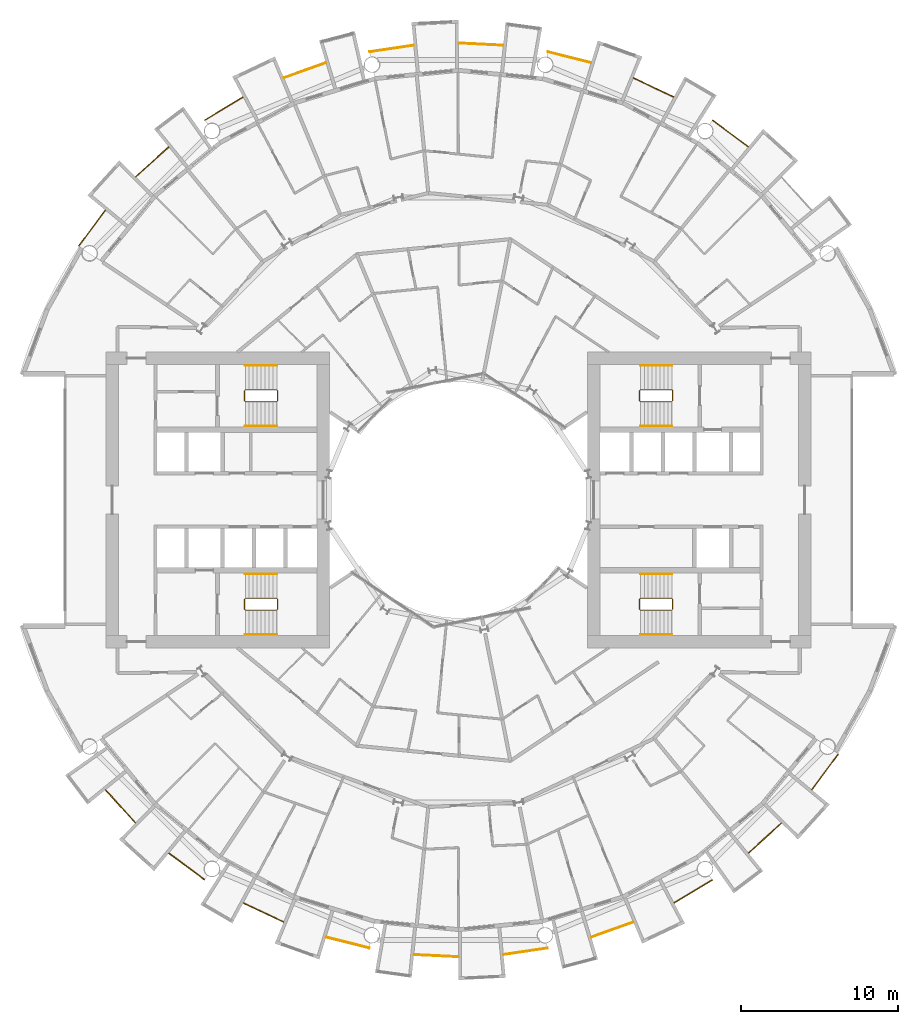
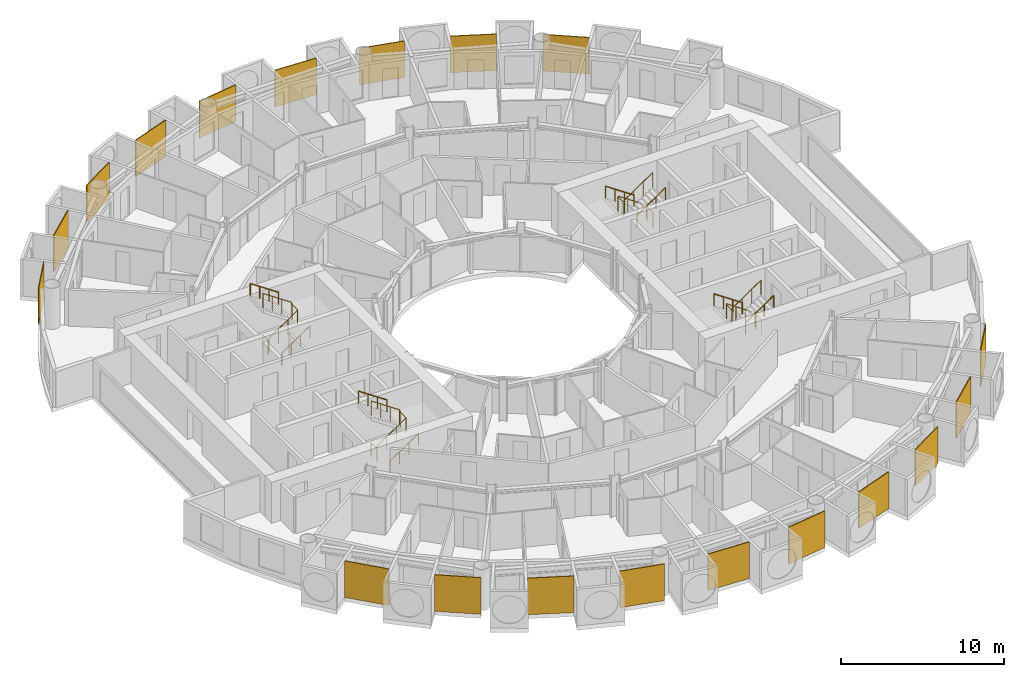
# One storey, part 25 of 26: 31 railings.
"""IFC4 building model written with IfcOpenShell, lengths in metres."""

from ifc_helpers import new_model, si_unit, direction, frame, origin, origin_2d, place, context, subcontext, project, spatial, polyline, circle, outline, extrude, material, layer, layer_set, type_object, element, save


model = new_model("IFC4")

# Units and contexts
model_context = context("Model", 3, precision=1e-05, world=origin(), true_north=direction((0.0, 1.0)))
body_context = subcontext(model_context, "Body", "Model", "MODEL_VIEW")
ifc_project = project(units=[si_unit("LENGTHUNIT", "METRE"), si_unit("AREAUNIT", "SQUARE_METRE"), si_unit("VOLUMEUNIT", "CUBIC_METRE"), si_unit("PLANEANGLEUNIT", "RADIAN"), si_unit("MASSUNIT", "GRAM", prefix="KILO")], contexts=[model_context])

# Site, building, storey
site_placement = place(None, origin())
site = spatial("IfcSite", under=ifc_project, at=site_placement, CompositionType="ELEMENT")
building_placement = place(site_placement, origin())
building = spatial("IfcBuilding", under=site, at=building_placement, Name="Maasbend Ring Residences", CompositionType="ELEMENT")
storey_placement = place(building_placement, frame((0.0, 0.0, 22.800048828125)))
storey = spatial("IfcBuildingStorey", under=building, at=storey_placement, Name="L05", CompositionType="ELEMENT", Elevation=22.800048828125)

# Railings
ifc_material_1 = material(Name="Pale anodised perforated aluminium", Category="aluminium")
ifc_layer = layer(ifc_material_1, 0.06005859375)
ifc_layer_set = layer_set([ifc_layer], Name="SCREEN-P")
railing_type_1 = type_object("IfcRailingType", Name="SCREEN-P", PredefinedType="GUARDRAIL", material=ifc_layer_set)
railing_1_placement = place(storey_placement, frame((0.0, 0.0, -0.030029296875)))
element("IfcRailing", 1, at=railing_1_placement, inside=storey, type_object=railing_type_1, Name="Perforated screen guard 2", PredefinedType="GUARDRAIL", context=body_context, shape_type="SweptSolid", body=[
    extrude(outline(polyline([(18.39697265625, 22.4169921875), (16.112060546875, 24.113037109375), (16.14697265625, 24.160888671875), (18.43310546875, 22.465087890625), (18.39697265625, 22.4169921875)])), origin(), (0.0, 0.0, 1.0), 2.72998046875),
])
railing_2_placement = place(storey_placement, frame((0.0, 0.0, -0.030029296875)))
element("IfcRailing", 2, at=railing_2_placement, inside=storey, type_object=railing_type_1, Name="Perforated screen guard 3", PredefinedType="GUARDRAIL", context=body_context, shape_type="SweptSolid", body=[
    extrude(outline(polyline([(13.6708984375, 25.575927734375), (11.097900390625, 26.79296875), (11.123046875, 26.846923828125), (13.696044921875, 25.6298828125), (13.6708984375, 25.575927734375)])), origin(), (0.0, 0.0, 1.0), 2.72998046875),
])
railing_3_placement = place(storey_placement, frame((0.0, 0.0, -0.030029296875)))
element("IfcRailing", 3, at=railing_3_placement, inside=storey, type_object=railing_type_1, Name="Perforated screen guard 4", PredefinedType="GUARDRAIL", context=body_context, shape_type="SweptSolid", body=[
    extrude(outline(polyline([(8.41796875, 27.7509765625), (5.657958984375, 28.443115234375), (5.672119140625, 28.5009765625), (8.43310546875, 27.80908203125), (8.41796875, 27.7509765625)])), origin(), (0.0, 0.0, 1.0), 2.72998046875),
])
railing_4_placement = place(storey_placement, frame((0.0, 0.0, -0.030029296875)))
element("IfcRailing", 4, at=railing_4_placement, inside=storey, type_object=railing_type_1, Name="Perforated screen guard 5", PredefinedType="GUARDRAIL", context=body_context, shape_type="SweptSolid", body=[
    extrude(outline(polyline([(2.842041015625, 28.860107421875), (0.0, 29.0), (0.0029296875, 29.06005859375), (2.844970703125, 28.919921875), (2.842041015625, 28.860107421875)])), origin(), (0.0, 0.0, 1.0), 2.72998046875),
])
railing_5_placement = place(storey_placement, frame((0.0, 0.0, -0.030029296875)))
element("IfcRailing", 5, at=railing_5_placement, inside=storey, type_object=railing_type_1, Name="Perforated screen guard 6", PredefinedType="GUARDRAIL", context=body_context, shape_type="SweptSolid", body=[
    extrude(outline(polyline([(-2.842041015625, 28.860107421875), (-5.657958984375, 28.443115234375), (-5.666015625, 28.501953125), (-2.85107421875, 28.919921875), (-2.842041015625, 28.860107421875)])), origin(), (0.0, 0.0, 1.0), 2.72998046875),
])
railing_6_placement = place(storey_placement, frame((0.0, 0.0, -0.030029296875)))
element("IfcRailing", 6, at=railing_6_placement, inside=storey, type_object=railing_type_1, Name="Perforated screen guard 7", PredefinedType="GUARDRAIL", context=body_context, shape_type="SweptSolid", body=[
    extrude(outline(polyline([(-8.41796875, 27.7509765625), (-11.097900390625, 26.79296875), (-11.117919921875, 26.84912109375), (-8.43798828125, 27.80810546875), (-8.41796875, 27.7509765625)])), origin(), (0.0, 0.0, 1.0), 2.72998046875),
])
railing_7_placement = place(storey_placement, frame((0.0, 0.0, -0.030029296875)))
element("IfcRailing", 7, at=railing_7_placement, inside=storey, type_object=railing_type_1, Name="Perforated screen guard 8", PredefinedType="GUARDRAIL", context=body_context, shape_type="SweptSolid", body=[
    extrude(outline(polyline([(-13.6708984375, 25.575927734375), (-16.112060546875, 24.113037109375), (-16.14208984375, 24.1640625), (-13.700927734375, 25.626953125), (-13.6708984375, 25.575927734375)])), origin(), (0.0, 0.0, 1.0), 2.72998046875),
])
railing_8_placement = place(storey_placement, frame((0.0, 0.0, -0.030029296875)))
element("IfcRailing", 8, at=railing_8_placement, inside=storey, type_object=railing_type_1, Name="Perforated screen guard 9", PredefinedType="GUARDRAIL", context=body_context, shape_type="SweptSolid", body=[
    extrude(outline(polyline([(-18.39697265625, 22.4169921875), (-20.506103515625, 20.506103515625), (-20.5458984375, 20.551025390625), (-18.43798828125, 22.4619140625), (-18.39697265625, 22.4169921875)])), origin(), (0.0, 0.0, 1.0), 2.72998046875),
])
railing_9_placement = place(storey_placement, frame((0.0, 0.0, -0.030029296875)))
element("IfcRailing", 9, at=railing_9_placement, inside=storey, type_object=railing_type_1, Name="Perforated screen guard 10", PredefinedType="GUARDRAIL", context=body_context, shape_type="SweptSolid", body=[
    extrude(outline(polyline([(-22.4169921875, 18.39697265625), (-24.113037109375, 16.112060546875), (-24.160888671875, 16.14697265625), (-22.465087890625, 18.43310546875), (-22.4169921875, 18.39697265625)])), origin(), (0.0, 0.0, 1.0), 2.72998046875),
])
railing_10_placement = place(storey_placement, frame((0.0, 0.0, -0.030029296875)))
element("IfcRailing", 10, at=railing_10_placement, inside=storey, type_object=railing_type_1, Name="Perforated screen guard 1", PredefinedType="GUARDRAIL", context=body_context, shape_type="SweptSolid", body=[
    extrude(outline(polyline([(-22.4169921875, -18.39697265625), (-20.506103515625, -20.506103515625), (-20.551025390625, -20.5458984375), (-22.4619140625, -18.43798828125), (-22.4169921875, -18.39697265625)])), origin(), (0.0, 0.0, 1.0), 2.72998046875),
])
railing_11_placement = place(storey_placement, frame((0.0, 0.0, -0.030029296875)))
element("IfcRailing", 11, at=railing_11_placement, inside=storey, type_object=railing_type_1, Name="Perforated screen guard 2", PredefinedType="GUARDRAIL", context=body_context, shape_type="SweptSolid", body=[
    extrude(outline(polyline([(-18.39697265625, -22.4169921875), (-16.112060546875, -24.113037109375), (-16.14697265625, -24.160888671875), (-18.43310546875, -22.465087890625), (-18.39697265625, -22.4169921875)])), origin(), (0.0, 0.0, 1.0), 2.72998046875),
])
railing_12_placement = place(storey_placement, frame((0.0, 0.0, -0.030029296875)))
element("IfcRailing", 12, at=railing_12_placement, inside=storey, type_object=railing_type_1, Name="Perforated screen guard 3", PredefinedType="GUARDRAIL", context=body_context, shape_type="SweptSolid", body=[
    extrude(outline(polyline([(-13.6708984375, -25.575927734375), (-11.097900390625, -26.79296875), (-11.123046875, -26.846923828125), (-13.696044921875, -25.6298828125), (-13.6708984375, -25.575927734375)])), origin(), (0.0, 0.0, 1.0), 2.72998046875),
])
railing_13_placement = place(storey_placement, frame((0.0, 0.0, -0.030029296875)))
element("IfcRailing", 13, at=railing_13_placement, inside=storey, type_object=railing_type_1, Name="Perforated screen guard 4", PredefinedType="GUARDRAIL", context=body_context, shape_type="SweptSolid", body=[
    extrude(outline(polyline([(-8.41796875, -27.7509765625), (-5.657958984375, -28.443115234375), (-5.672119140625, -28.5009765625), (-8.43310546875, -27.80908203125), (-8.41796875, -27.7509765625)])), origin(), (0.0, 0.0, 1.0), 2.72998046875),
])
railing_14_placement = place(storey_placement, frame((0.0, 0.0, -0.030029296875)))
element("IfcRailing", 14, at=railing_14_placement, inside=storey, type_object=railing_type_1, Name="Perforated screen guard 5", PredefinedType="GUARDRAIL", context=body_context, shape_type="SweptSolid", body=[
    extrude(outline(polyline([(-2.842041015625, -28.860107421875), (0.0, -29.0), (-0.0029296875, -29.06005859375), (-2.844970703125, -28.919921875), (-2.842041015625, -28.860107421875)])), origin(), (0.0, 0.0, 1.0), 2.72998046875),
])
railing_15_placement = place(storey_placement, frame((0.0, 0.0, -0.030029296875)))
element("IfcRailing", 15, at=railing_15_placement, inside=storey, type_object=railing_type_1, Name="Perforated screen guard 6", PredefinedType="GUARDRAIL", context=body_context, shape_type="SweptSolid", body=[
    extrude(outline(polyline([(2.842041015625, -28.860107421875), (5.657958984375, -28.443115234375), (5.666015625, -28.501953125), (2.85107421875, -28.919921875), (2.842041015625, -28.860107421875)])), origin(), (0.0, 0.0, 1.0), 2.72998046875),
])
railing_16_placement = place(storey_placement, frame((0.0, 0.0, -0.030029296875)))
element("IfcRailing", 16, at=railing_16_placement, inside=storey, type_object=railing_type_1, Name="Perforated screen guard 7", PredefinedType="GUARDRAIL", context=body_context, shape_type="SweptSolid", body=[
    extrude(outline(polyline([(8.41796875, -27.7509765625), (11.097900390625, -26.79296875), (11.117919921875, -26.84912109375), (8.43798828125, -27.80810546875), (8.41796875, -27.7509765625)])), origin(), (0.0, 0.0, 1.0), 2.72998046875),
])
railing_17_placement = place(storey_placement, frame((0.0, 0.0, -0.030029296875)))
element("IfcRailing", 17, at=railing_17_placement, inside=storey, type_object=railing_type_1, Name="Perforated screen guard 8", PredefinedType="GUARDRAIL", context=body_context, shape_type="SweptSolid", body=[
    extrude(outline(polyline([(13.6708984375, -25.575927734375), (16.112060546875, -24.113037109375), (16.14208984375, -24.1640625), (13.700927734375, -25.626953125), (13.6708984375, -25.575927734375)])), origin(), (0.0, 0.0, 1.0), 2.72998046875),
])
railing_18_placement = place(storey_placement, frame((0.0, 0.0, -0.030029296875)))
element("IfcRailing", 18, at=railing_18_placement, inside=storey, type_object=railing_type_1, Name="Perforated screen guard 9", PredefinedType="GUARDRAIL", context=body_context, shape_type="SweptSolid", body=[
    extrude(outline(polyline([(18.39697265625, -22.4169921875), (20.506103515625, -20.506103515625), (20.5458984375, -20.551025390625), (18.43798828125, -22.4619140625), (18.39697265625, -22.4169921875)])), origin(), (0.0, 0.0, 1.0), 2.72998046875),
])
railing_19_placement = place(storey_placement, frame((0.0, 0.0, -0.030029296875)))
element("IfcRailing", 19, at=railing_19_placement, inside=storey, type_object=railing_type_1, Name="Perforated screen guard 10", PredefinedType="GUARDRAIL", context=body_context, shape_type="SweptSolid", body=[
    extrude(outline(polyline([(22.4169921875, -18.39697265625), (24.113037109375, -16.112060546875), (24.160888671875, -16.14697265625), (22.465087890625, -18.43310546875), (22.4169921875, -18.39697265625)])), origin(), (0.0, 0.0, 1.0), 2.72998046875),
])
ifc_material_2 = material(Name="Stainless steel 316", Category="steel")
railing_type_2 = type_object("IfcRailingType", Name="STAIR GUARD 1100", PredefinedType="GUARDRAIL", material=ifc_material_2)
railing_20_placement = place(storey_placement, frame((13.60009765625, 6.300048828125, 0.0)))
element("IfcRailing", 20, at=railing_20_placement, inside=storey, type_object=railing_type_2, Name="L05 ST-E1 stair guard 1", PredefinedType="GUARDRAIL", context=body_context, shape_type="SweptSolid", body=[
    extrude(circle(Radius=0.02392578125, at=origin_2d()), frame((0.0, 0.0, 1.076171875), z_axis=(0.0, 1.0, 0.0), x_axis=(-1.0, 0.0, 0.0)), (0.0, 0.0, 1.0), 0.64990234375),
    extrude(circle(Radius=0.02392578125, at=origin_2d()), frame((0.0, 0.64990234375, 1.076171875), z_axis=(-0.272562526181, 0.272562526181, 0.92272386912), x_axis=(-0.707106781187, -0.707106781187, 0.0)), (0.0, 0.0, 1.0), 0.18359375),
    extrude(circle(Radius=0.02392578125, at=origin_2d()), frame((-0.050048828125, 0.699951171875, 1.24560546875), z_axis=(-0.827797584762, 0.0, 0.561026878735), x_axis=(0.0, -1.0, 0.0)), (0.0, 0.0, 1.0), 2.416015625),
    extrude(circle(Radius=0.02392578125, at=origin_2d()), frame((-2.050048828125, 0.699951171875, 2.60107421875), z_axis=(-0.707106781187, -0.707106781187, 0.0), x_axis=(0.707106781187, -0.707106781187, 0.0)), (0.0, 0.0, 1.0), 0.07080078125),
    extrude(circle(Radius=0.02392578125, at=origin_2d()), frame((-2.10009765625, 0.64990234375, 2.60107421875), z_axis=(0.0, -1.0, 0.0), x_axis=(1.0, 0.0, 0.0)), (0.0, 0.0, 1.0), 0.64990234375),
    extrude(circle(Radius=0.02392578125, at=origin_2d()), frame((-2.10009765625, 0.0, 2.60107421875), z_axis=(0.272562526181, -0.272562526181, 0.92272386912), x_axis=(0.707106781187, 0.707106781187, 0.0)), (0.0, 0.0, 1.0), 0.18359375),
    extrude(circle(Radius=0.02392578125, at=origin_2d()), frame((-2.050048828125, -0.050048828125, 2.7705078125), z_axis=(0.827750655447, 0.0, 0.561096116906), x_axis=(0.0, 1.0, 0.0)), (0.0, 0.0, 1.0), 2.416259765625),
    extrude(circle(Radius=0.02099609375, at=origin_2d()), origin(), (0.0, 0.0, 1.0), 1.052001953125),
    extrude(circle(Radius=0.02099609375, at=origin_2d()), frame((0.0, 0.64990234375, 0.0)), (0.0, 0.0, 1.0), 1.052001953125),
    extrude(circle(Radius=0.02099609375, at=origin_2d()), frame((-0.050048828125, 0.699951171875, 0.16943359375)), (0.0, 0.0, 1.0), 1.052001953125),
    extrude(circle(Radius=0.02099609375, at=origin_2d()), frame((-0.716796875, 0.699951171875, 0.621337890625)), (0.0, 0.0, 1.0), 1.052001953125),
    extrude(circle(Radius=0.02099609375, at=origin_2d()), frame((-1.38330078125, 0.699951171875, 1.072998046875)), (0.0, 0.0, 1.0), 1.052001953125),
    extrude(circle(Radius=0.02099609375, at=origin_2d()), frame((-2.050048828125, 0.699951171875, 1.52490234375)), (0.0, 0.0, 1.0), 1.052001953125),
    extrude(circle(Radius=0.02099609375, at=origin_2d()), frame((-2.10009765625, 0.64990234375, 1.52490234375)), (0.0, 0.0, 1.0), 1.052001953125),
    extrude(circle(Radius=0.02099609375, at=origin_2d()), frame((-2.10009765625, 0.0, 1.52490234375)), (0.0, 0.0, 1.0), 1.052001953125),
    extrude(circle(Radius=0.02099609375, at=origin_2d()), frame((-2.050048828125, -0.050048828125, 1.6943359375)), (0.0, 0.0, 1.0), 1.052001953125),
    extrude(circle(Radius=0.02099609375, at=origin_2d()), frame((-1.38330078125, -0.050048828125, 2.146240234375)), (0.0, 0.0, 1.0), 1.052001953125),
    extrude(circle(Radius=0.02099609375, at=origin_2d()), frame((-0.716796875, -0.050048828125, 2.59814453125)), (0.0, 0.0, 1.0), 1.052001953125),
    extrude(circle(Radius=0.02099609375, at=origin_2d()), frame((-0.050048828125, -0.050048828125, 3.050048828125)), (0.0, 0.0, 1.0), 1.052001953125),
])
railing_21_placement = place(storey_placement, frame((13.60009765625, -6.949951171875, 0.0)))
element("IfcRailing", 21, at=railing_21_placement, inside=storey, type_object=railing_type_2, Name="L05 ST-E2 stair guard 1", PredefinedType="GUARDRAIL", context=body_context, shape_type="SweptSolid", body=[
    extrude(circle(Radius=0.02392578125, at=origin_2d()), frame((0.0, 0.0, 1.076171875), z_axis=(0.0, 1.0, 0.0), x_axis=(-1.0, 0.0, 0.0)), (0.0, 0.0, 1.0), 0.64990234375),
    extrude(circle(Radius=0.02392578125, at=origin_2d()), frame((0.0, 0.64990234375, 1.076171875), z_axis=(-0.272562526181, 0.272562526181, 0.92272386912), x_axis=(-0.707106781187, -0.707106781187, 0.0)), (0.0, 0.0, 1.0), 0.18359375),
    extrude(circle(Radius=0.02392578125, at=origin_2d()), frame((-0.050048828125, 0.699951171875, 1.24560546875), z_axis=(-0.827797584762, 0.0, 0.561026878735), x_axis=(0.0, -1.0, 0.0)), (0.0, 0.0, 1.0), 2.416015625),
    extrude(circle(Radius=0.02392578125, at=origin_2d()), frame((-2.050048828125, 0.699951171875, 2.60107421875), z_axis=(-0.707106781187, -0.707106781187, 0.0), x_axis=(0.707106781187, -0.707106781187, 0.0)), (0.0, 0.0, 1.0), 0.07080078125),
    extrude(circle(Radius=0.02392578125, at=origin_2d()), frame((-2.10009765625, 0.64990234375, 2.60107421875), z_axis=(0.0, -1.0, 0.0), x_axis=(1.0, 0.0, 0.0)), (0.0, 0.0, 1.0), 0.64990234375),
    extrude(circle(Radius=0.02392578125, at=origin_2d()), frame((-2.10009765625, 0.0, 2.60107421875), z_axis=(0.272562526181, -0.272562526181, 0.92272386912), x_axis=(0.707106781187, 0.707106781187, 0.0)), (0.0, 0.0, 1.0), 0.18359375),
    extrude(circle(Radius=0.02392578125, at=origin_2d()), frame((-2.050048828125, -0.050048828125, 2.7705078125), z_axis=(0.827750655447, 0.0, 0.561096116906), x_axis=(0.0, 1.0, 0.0)), (0.0, 0.0, 1.0), 2.416259765625),
    extrude(circle(Radius=0.02099609375, at=origin_2d()), origin(), (0.0, 0.0, 1.0), 1.052001953125),
    extrude(circle(Radius=0.02099609375, at=origin_2d()), frame((0.0, 0.64990234375, 0.0)), (0.0, 0.0, 1.0), 1.052001953125),
    extrude(circle(Radius=0.02099609375, at=origin_2d()), frame((-0.050048828125, 0.699951171875, 0.16943359375)), (0.0, 0.0, 1.0), 1.052001953125),
    extrude(circle(Radius=0.02099609375, at=origin_2d()), frame((-0.716796875, 0.699951171875, 0.621337890625)), (0.0, 0.0, 1.0), 1.052001953125),
    extrude(circle(Radius=0.02099609375, at=origin_2d()), frame((-1.38330078125, 0.699951171875, 1.072998046875)), (0.0, 0.0, 1.0), 1.052001953125),
    extrude(circle(Radius=0.02099609375, at=origin_2d()), frame((-2.050048828125, 0.699951171875, 1.52490234375)), (0.0, 0.0, 1.0), 1.052001953125),
    extrude(circle(Radius=0.02099609375, at=origin_2d()), frame((-2.10009765625, 0.64990234375, 1.52490234375)), (0.0, 0.0, 1.0), 1.052001953125),
    extrude(circle(Radius=0.02099609375, at=origin_2d()), frame((-2.10009765625, 0.0, 1.52490234375)), (0.0, 0.0, 1.0), 1.052001953125),
    extrude(circle(Radius=0.02099609375, at=origin_2d()), frame((-2.050048828125, -0.050048828125, 1.6943359375)), (0.0, 0.0, 1.0), 1.052001953125),
    extrude(circle(Radius=0.02099609375, at=origin_2d()), frame((-1.38330078125, -0.050048828125, 2.146240234375)), (0.0, 0.0, 1.0), 1.052001953125),
    extrude(circle(Radius=0.02099609375, at=origin_2d()), frame((-0.716796875, -0.050048828125, 2.59814453125)), (0.0, 0.0, 1.0), 1.052001953125),
    extrude(circle(Radius=0.02099609375, at=origin_2d()), frame((-0.050048828125, -0.050048828125, 3.050048828125)), (0.0, 0.0, 1.0), 1.052001953125),
])
railing_22_placement = place(storey_placement, frame((-13.60009765625, -6.300048828125, 0.0)))
element("IfcRailing", 22, at=railing_22_placement, inside=storey, type_object=railing_type_2, Name="L05 ST-W1 stair guard 1", PredefinedType="GUARDRAIL", context=body_context, shape_type="SweptSolid", body=[
    extrude(circle(Radius=0.02392578125, at=origin_2d()), frame((0.0, 0.0, 1.076171875), z_axis=(0.0, -1.0, 0.0), x_axis=(1.0, 0.0, 0.0)), (0.0, 0.0, 1.0), 0.64990234375),
    extrude(circle(Radius=0.02392578125, at=origin_2d()), frame((0.0, -0.64990234375, 1.076171875), z_axis=(0.272562526181, -0.272562526181, 0.92272386912), x_axis=(0.707106781187, 0.707106781187, 0.0)), (0.0, 0.0, 1.0), 0.18359375),
    extrude(circle(Radius=0.02392578125, at=origin_2d()), frame((0.050048828125, -0.699951171875, 1.24560546875), z_axis=(0.827797584762, 0.0, 0.561026878735), x_axis=(0.0, 1.0, 0.0)), (0.0, 0.0, 1.0), 2.416015625),
    extrude(circle(Radius=0.02392578125, at=origin_2d()), frame((2.050048828125, -0.699951171875, 2.60107421875), z_axis=(0.707106781187, 0.707106781187, 0.0), x_axis=(-0.707106781187, 0.707106781187, 0.0)), (0.0, 0.0, 1.0), 0.07080078125),
    extrude(circle(Radius=0.02392578125, at=origin_2d()), frame((2.10009765625, -0.64990234375, 2.60107421875), z_axis=(0.0, 1.0, 0.0), x_axis=(-1.0, 0.0, 0.0)), (0.0, 0.0, 1.0), 0.64990234375),
    extrude(circle(Radius=0.02392578125, at=origin_2d()), frame((2.10009765625, 0.0, 2.60107421875), z_axis=(-0.272562526181, 0.272562526181, 0.92272386912), x_axis=(-0.707106781187, -0.707106781187, 0.0)), (0.0, 0.0, 1.0), 0.18359375),
    extrude(circle(Radius=0.02392578125, at=origin_2d()), frame((2.050048828125, 0.050048828125, 2.7705078125), z_axis=(-0.827750655447, 0.0, 0.561096116906), x_axis=(0.0, -1.0, 0.0)), (0.0, 0.0, 1.0), 2.416259765625),
    extrude(circle(Radius=0.02099609375, at=origin_2d()), origin(), (0.0, 0.0, 1.0), 1.052001953125),
    extrude(circle(Radius=0.02099609375, at=origin_2d()), frame((0.0, -0.64990234375, 0.0)), (0.0, 0.0, 1.0), 1.052001953125),
    extrude(circle(Radius=0.02099609375, at=origin_2d()), frame((0.050048828125, -0.699951171875, 0.16943359375)), (0.0, 0.0, 1.0), 1.052001953125),
    extrude(circle(Radius=0.02099609375, at=origin_2d()), frame((0.716796875, -0.699951171875, 0.621337890625)), (0.0, 0.0, 1.0), 1.052001953125),
    extrude(circle(Radius=0.02099609375, at=origin_2d()), frame((1.38330078125, -0.699951171875, 1.072998046875)), (0.0, 0.0, 1.0), 1.052001953125),
    extrude(circle(Radius=0.02099609375, at=origin_2d()), frame((2.050048828125, -0.699951171875, 1.52490234375)), (0.0, 0.0, 1.0), 1.052001953125),
    extrude(circle(Radius=0.02099609375, at=origin_2d()), frame((2.10009765625, -0.64990234375, 1.52490234375)), (0.0, 0.0, 1.0), 1.052001953125),
    extrude(circle(Radius=0.02099609375, at=origin_2d()), frame((2.10009765625, 0.0, 1.52490234375)), (0.0, 0.0, 1.0), 1.052001953125),
    extrude(circle(Radius=0.02099609375, at=origin_2d()), frame((2.050048828125, 0.050048828125, 1.6943359375)), (0.0, 0.0, 1.0), 1.052001953125),
    extrude(circle(Radius=0.02099609375, at=origin_2d()), frame((1.38330078125, 0.050048828125, 2.146240234375)), (0.0, 0.0, 1.0), 1.052001953125),
    extrude(circle(Radius=0.02099609375, at=origin_2d()), frame((0.716796875, 0.050048828125, 2.59814453125)), (0.0, 0.0, 1.0), 1.052001953125),
    extrude(circle(Radius=0.02099609375, at=origin_2d()), frame((0.050048828125, 0.050048828125, 3.050048828125)), (0.0, 0.0, 1.0), 1.052001953125),
])
railing_23_placement = place(storey_placement, frame((-13.60009765625, 6.949951171875, 0.0)))
element("IfcRailing", 23, at=railing_23_placement, inside=storey, type_object=railing_type_2, Name="L05 ST-W2 stair guard 1", PredefinedType="GUARDRAIL", context=body_context, shape_type="SweptSolid", body=[
    extrude(circle(Radius=0.02392578125, at=origin_2d()), frame((0.0, 0.0, 1.076171875), z_axis=(0.0, -1.0, 0.0), x_axis=(1.0, 0.0, 0.0)), (0.0, 0.0, 1.0), 0.64990234375),
    extrude(circle(Radius=0.02392578125, at=origin_2d()), frame((0.0, -0.64990234375, 1.076171875), z_axis=(0.272562526181, -0.272562526181, 0.92272386912), x_axis=(0.707106781187, 0.707106781187, 0.0)), (0.0, 0.0, 1.0), 0.18359375),
    extrude(circle(Radius=0.02392578125, at=origin_2d()), frame((0.050048828125, -0.699951171875, 1.24560546875), z_axis=(0.827797584762, 0.0, 0.561026878735), x_axis=(0.0, 1.0, 0.0)), (0.0, 0.0, 1.0), 2.416015625),
    extrude(circle(Radius=0.02392578125, at=origin_2d()), frame((2.050048828125, -0.699951171875, 2.60107421875), z_axis=(0.707106781187, 0.707106781187, 0.0), x_axis=(-0.707106781187, 0.707106781187, 0.0)), (0.0, 0.0, 1.0), 0.07080078125),
    extrude(circle(Radius=0.02392578125, at=origin_2d()), frame((2.10009765625, -0.64990234375, 2.60107421875), z_axis=(0.0, 1.0, 0.0), x_axis=(-1.0, 0.0, 0.0)), (0.0, 0.0, 1.0), 0.64990234375),
    extrude(circle(Radius=0.02392578125, at=origin_2d()), frame((2.10009765625, 0.0, 2.60107421875), z_axis=(-0.272562526181, 0.272562526181, 0.92272386912), x_axis=(-0.707106781187, -0.707106781187, 0.0)), (0.0, 0.0, 1.0), 0.18359375),
    extrude(circle(Radius=0.02392578125, at=origin_2d()), frame((2.050048828125, 0.050048828125, 2.7705078125), z_axis=(-0.827750655447, 0.0, 0.561096116906), x_axis=(0.0, -1.0, 0.0)), (0.0, 0.0, 1.0), 2.416259765625),
    extrude(circle(Radius=0.02099609375, at=origin_2d()), origin(), (0.0, 0.0, 1.0), 1.052001953125),
    extrude(circle(Radius=0.02099609375, at=origin_2d()), frame((0.0, -0.64990234375, 0.0)), (0.0, 0.0, 1.0), 1.052001953125),
    extrude(circle(Radius=0.02099609375, at=origin_2d()), frame((0.050048828125, -0.699951171875, 0.16943359375)), (0.0, 0.0, 1.0), 1.052001953125),
    extrude(circle(Radius=0.02099609375, at=origin_2d()), frame((0.716796875, -0.699951171875, 0.621337890625)), (0.0, 0.0, 1.0), 1.052001953125),
    extrude(circle(Radius=0.02099609375, at=origin_2d()), frame((1.38330078125, -0.699951171875, 1.072998046875)), (0.0, 0.0, 1.0), 1.052001953125),
    extrude(circle(Radius=0.02099609375, at=origin_2d()), frame((2.050048828125, -0.699951171875, 1.52490234375)), (0.0, 0.0, 1.0), 1.052001953125),
    extrude(circle(Radius=0.02099609375, at=origin_2d()), frame((2.10009765625, -0.64990234375, 1.52490234375)), (0.0, 0.0, 1.0), 1.052001953125),
    extrude(circle(Radius=0.02099609375, at=origin_2d()), frame((2.10009765625, 0.0, 1.52490234375)), (0.0, 0.0, 1.0), 1.052001953125),
    extrude(circle(Radius=0.02099609375, at=origin_2d()), frame((2.050048828125, 0.050048828125, 1.6943359375)), (0.0, 0.0, 1.0), 1.052001953125),
    extrude(circle(Radius=0.02099609375, at=origin_2d()), frame((1.38330078125, 0.050048828125, 2.146240234375)), (0.0, 0.0, 1.0), 1.052001953125),
    extrude(circle(Radius=0.02099609375, at=origin_2d()), frame((0.716796875, 0.050048828125, 2.59814453125)), (0.0, 0.0, 1.0), 1.052001953125),
    extrude(circle(Radius=0.02099609375, at=origin_2d()), frame((0.050048828125, 0.050048828125, 3.050048828125)), (0.0, 0.0, 1.0), 1.052001953125),
])
ifc_material_3 = material(Name="Stainless steel 316", Category="steel")
railing_type_3 = type_object("IfcRailingType", Name="STAIR HANDRAIL 900", PredefinedType="HANDRAIL", material=ifc_material_3)
railing_24_placement = place(storey_placement, frame((13.550048828125, 8.550048828125, 0.16943359375)))
element("IfcRailing", 24, at=railing_24_placement, inside=storey, type_object=railing_type_3, Name="L05 ST-E1 stair handrail 1", PredefinedType="HANDRAIL", context=body_context, shape_type="SweptSolid", body=[
    extrude(circle(Radius=0.02392578125, at=origin_2d()), frame((0.0, 0.0, 0.8759765625), z_axis=(-0.827797584762, 0.0, 0.561026878735), x_axis=(0.0, -1.0, 0.0)), (0.0, 0.0, 1.0), 2.416015625),
    extrude(circle(Radius=0.02099609375, at=origin_2d()), origin(), (0.0, 0.0, 1.0), 0.851806640625),
    extrude(circle(Radius=0.02099609375, at=origin_2d()), frame((-0.666748046875, 0.0, 0.451904296875)), (0.0, 0.0, 1.0), 0.851806640625),
    extrude(circle(Radius=0.02099609375, at=origin_2d()), frame((-1.333251953125, 0.0, 0.903564453125)), (0.0, 0.0, 1.0), 0.851806640625),
    extrude(circle(Radius=0.02099609375, at=origin_2d()), frame((-2.0, 0.0, 1.35546875)), (0.0, 0.0, 1.0), 0.851806640625),
])
railing_25_placement = place(storey_placement, frame((11.550048828125, 4.699951171875, 1.6943359375)))
element("IfcRailing", 25, at=railing_25_placement, inside=storey, type_object=railing_type_3, Name="L05 ST-E1 stair handrail 2", PredefinedType="HANDRAIL", context=body_context, shape_type="SweptSolid", body=[
    extrude(circle(Radius=0.02392578125, at=origin_2d()), frame((0.0, 0.0, 0.8759765625), z_axis=(0.827750655447, 0.0, 0.561096116906), x_axis=(0.0, 1.0, 0.0)), (0.0, 0.0, 1.0), 2.416259765625),
    extrude(circle(Radius=0.02099609375, at=origin_2d()), origin(), (0.0, 0.0, 1.0), 0.851806640625),
    extrude(circle(Radius=0.02099609375, at=origin_2d()), frame((0.666748046875, 0.0, 0.451904296875)), (0.0, 0.0, 1.0), 0.851806640625),
    extrude(circle(Radius=0.02099609375, at=origin_2d()), frame((1.333251953125, 0.0, 0.90380859375)), (0.0, 0.0, 1.0), 0.851806640625),
    extrude(circle(Radius=0.02099609375, at=origin_2d()), frame((2.0, 0.0, 1.355712890625)), (0.0, 0.0, 1.0), 0.851806640625),
])
railing_26_placement = place(storey_placement, frame((13.550048828125, -4.699951171875, 0.16943359375)))
element("IfcRailing", 26, at=railing_26_placement, inside=storey, type_object=railing_type_3, Name="L05 ST-E2 stair handrail 1", PredefinedType="HANDRAIL", context=body_context, shape_type="SweptSolid", body=[
    extrude(circle(Radius=0.02392578125, at=origin_2d()), frame((0.0, 0.0, 0.8759765625), z_axis=(-0.827797584762, 0.0, 0.561026878735), x_axis=(0.0, -1.0, 0.0)), (0.0, 0.0, 1.0), 2.416015625),
    extrude(circle(Radius=0.02099609375, at=origin_2d()), origin(), (0.0, 0.0, 1.0), 0.851806640625),
    extrude(circle(Radius=0.02099609375, at=origin_2d()), frame((-0.666748046875, 0.0, 0.451904296875)), (0.0, 0.0, 1.0), 0.851806640625),
    extrude(circle(Radius=0.02099609375, at=origin_2d()), frame((-1.333251953125, 0.0, 0.903564453125)), (0.0, 0.0, 1.0), 0.851806640625),
    extrude(circle(Radius=0.02099609375, at=origin_2d()), frame((-2.0, 0.0, 1.35546875)), (0.0, 0.0, 1.0), 0.851806640625),
])
railing_27_placement = place(storey_placement, frame((11.550048828125, -8.550048828125, 1.6943359375)))
element("IfcRailing", 27, at=railing_27_placement, inside=storey, type_object=railing_type_3, Name="L05 ST-E2 stair handrail 2", PredefinedType="HANDRAIL", context=body_context, shape_type="SweptSolid", body=[
    extrude(circle(Radius=0.02392578125, at=origin_2d()), frame((0.0, 0.0, 0.8759765625), z_axis=(0.827750655447, 0.0, 0.561096116906), x_axis=(0.0, 1.0, 0.0)), (0.0, 0.0, 1.0), 2.416259765625),
    extrude(circle(Radius=0.02099609375, at=origin_2d()), origin(), (0.0, 0.0, 1.0), 0.851806640625),
    extrude(circle(Radius=0.02099609375, at=origin_2d()), frame((0.666748046875, 0.0, 0.451904296875)), (0.0, 0.0, 1.0), 0.851806640625),
    extrude(circle(Radius=0.02099609375, at=origin_2d()), frame((1.333251953125, 0.0, 0.90380859375)), (0.0, 0.0, 1.0), 0.851806640625),
    extrude(circle(Radius=0.02099609375, at=origin_2d()), frame((2.0, 0.0, 1.355712890625)), (0.0, 0.0, 1.0), 0.851806640625),
])
railing_28_placement = place(storey_placement, frame((-13.550048828125, -8.550048828125, 0.16943359375)))
element("IfcRailing", 28, at=railing_28_placement, inside=storey, type_object=railing_type_3, Name="L05 ST-W1 stair handrail 1", PredefinedType="HANDRAIL", context=body_context, shape_type="SweptSolid", body=[
    extrude(circle(Radius=0.02392578125, at=origin_2d()), frame((0.0, 0.0, 0.8759765625), z_axis=(0.827797584762, 0.0, 0.561026878735), x_axis=(0.0, 1.0, 0.0)), (0.0, 0.0, 1.0), 2.416015625),
    extrude(circle(Radius=0.02099609375, at=origin_2d()), origin(), (0.0, 0.0, 1.0), 0.851806640625),
    extrude(circle(Radius=0.02099609375, at=origin_2d()), frame((0.666748046875, 0.0, 0.451904296875)), (0.0, 0.0, 1.0), 0.851806640625),
    extrude(circle(Radius=0.02099609375, at=origin_2d()), frame((1.333251953125, 0.0, 0.903564453125)), (0.0, 0.0, 1.0), 0.851806640625),
    extrude(circle(Radius=0.02099609375, at=origin_2d()), frame((2.0, 0.0, 1.35546875)), (0.0, 0.0, 1.0), 0.851806640625),
])
railing_29_placement = place(storey_placement, frame((-11.550048828125, -4.699951171875, 1.6943359375)))
element("IfcRailing", 29, at=railing_29_placement, inside=storey, type_object=railing_type_3, Name="L05 ST-W1 stair handrail 2", PredefinedType="HANDRAIL", context=body_context, shape_type="SweptSolid", body=[
    extrude(circle(Radius=0.02392578125, at=origin_2d()), frame((0.0, 0.0, 0.8759765625), z_axis=(-0.827750655447, 0.0, 0.561096116906), x_axis=(0.0, -1.0, 0.0)), (0.0, 0.0, 1.0), 2.416259765625),
    extrude(circle(Radius=0.02099609375, at=origin_2d()), origin(), (0.0, 0.0, 1.0), 0.851806640625),
    extrude(circle(Radius=0.02099609375, at=origin_2d()), frame((-0.666748046875, 0.0, 0.451904296875)), (0.0, 0.0, 1.0), 0.851806640625),
    extrude(circle(Radius=0.02099609375, at=origin_2d()), frame((-1.333251953125, 0.0, 0.90380859375)), (0.0, 0.0, 1.0), 0.851806640625),
    extrude(circle(Radius=0.02099609375, at=origin_2d()), frame((-2.0, 0.0, 1.355712890625)), (0.0, 0.0, 1.0), 0.851806640625),
])
railing_30_placement = place(storey_placement, frame((-13.550048828125, 4.699951171875, 0.16943359375)))
element("IfcRailing", 30, at=railing_30_placement, inside=storey, type_object=railing_type_3, Name="L05 ST-W2 stair handrail 1", PredefinedType="HANDRAIL", context=body_context, shape_type="SweptSolid", body=[
    extrude(circle(Radius=0.02392578125, at=origin_2d()), frame((0.0, 0.0, 0.8759765625), z_axis=(0.827797584762, 0.0, 0.561026878735), x_axis=(0.0, 1.0, 0.0)), (0.0, 0.0, 1.0), 2.416015625),
    extrude(circle(Radius=0.02099609375, at=origin_2d()), origin(), (0.0, 0.0, 1.0), 0.851806640625),
    extrude(circle(Radius=0.02099609375, at=origin_2d()), frame((0.666748046875, 0.0, 0.451904296875)), (0.0, 0.0, 1.0), 0.851806640625),
    extrude(circle(Radius=0.02099609375, at=origin_2d()), frame((1.333251953125, 0.0, 0.903564453125)), (0.0, 0.0, 1.0), 0.851806640625),
    extrude(circle(Radius=0.02099609375, at=origin_2d()), frame((2.0, 0.0, 1.35546875)), (0.0, 0.0, 1.0), 0.851806640625),
])
railing_31_placement = place(storey_placement, frame((-11.550048828125, 8.550048828125, 1.6943359375)))
element("IfcRailing", 31, at=railing_31_placement, inside=storey, type_object=railing_type_3, Name="L05 ST-W2 stair handrail 2", PredefinedType="HANDRAIL", context=body_context, shape_type="SweptSolid", body=[
    extrude(circle(Radius=0.02392578125, at=origin_2d()), frame((0.0, 0.0, 0.8759765625), z_axis=(-0.827750655447, 0.0, 0.561096116906), x_axis=(0.0, -1.0, 0.0)), (0.0, 0.0, 1.0), 2.416259765625),
    extrude(circle(Radius=0.02099609375, at=origin_2d()), origin(), (0.0, 0.0, 1.0), 0.851806640625),
    extrude(circle(Radius=0.02099609375, at=origin_2d()), frame((-0.666748046875, 0.0, 0.451904296875)), (0.0, 0.0, 1.0), 0.851806640625),
    extrude(circle(Radius=0.02099609375, at=origin_2d()), frame((-1.333251953125, 0.0, 0.90380859375)), (0.0, 0.0, 1.0), 0.851806640625),
    extrude(circle(Radius=0.02099609375, at=origin_2d()), frame((-2.0, 0.0, 1.355712890625)), (0.0, 0.0, 1.0), 0.851806640625),
])

save(model, "model.ifc")
